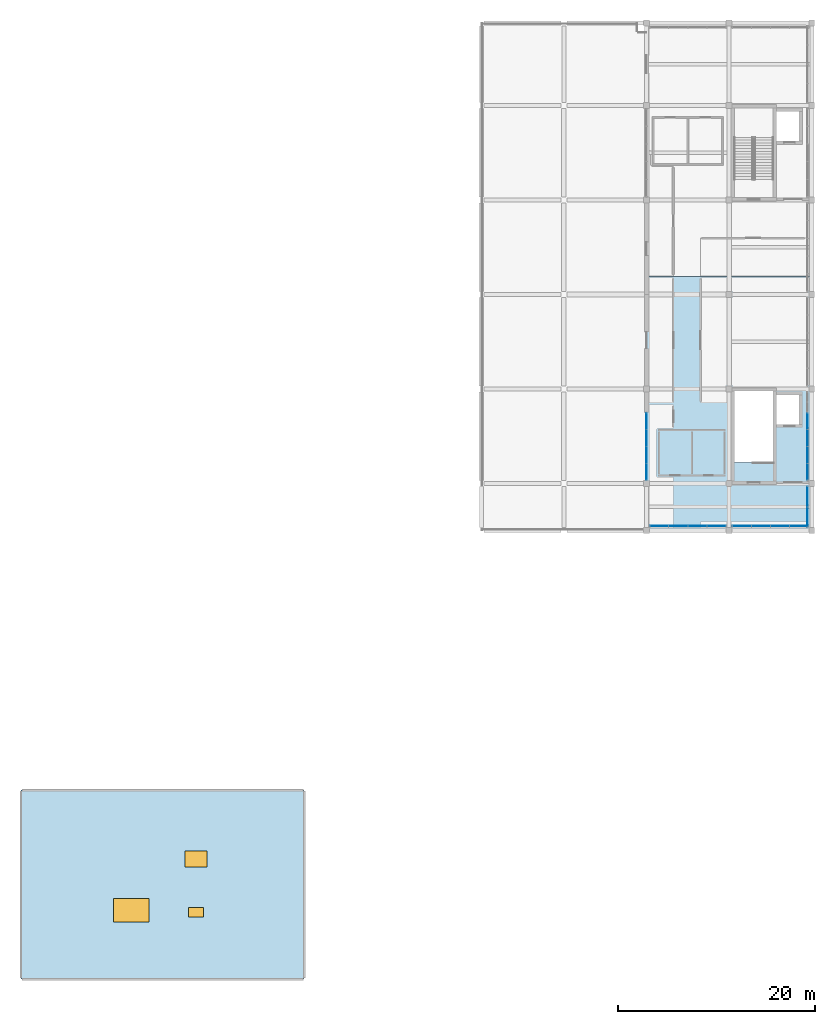
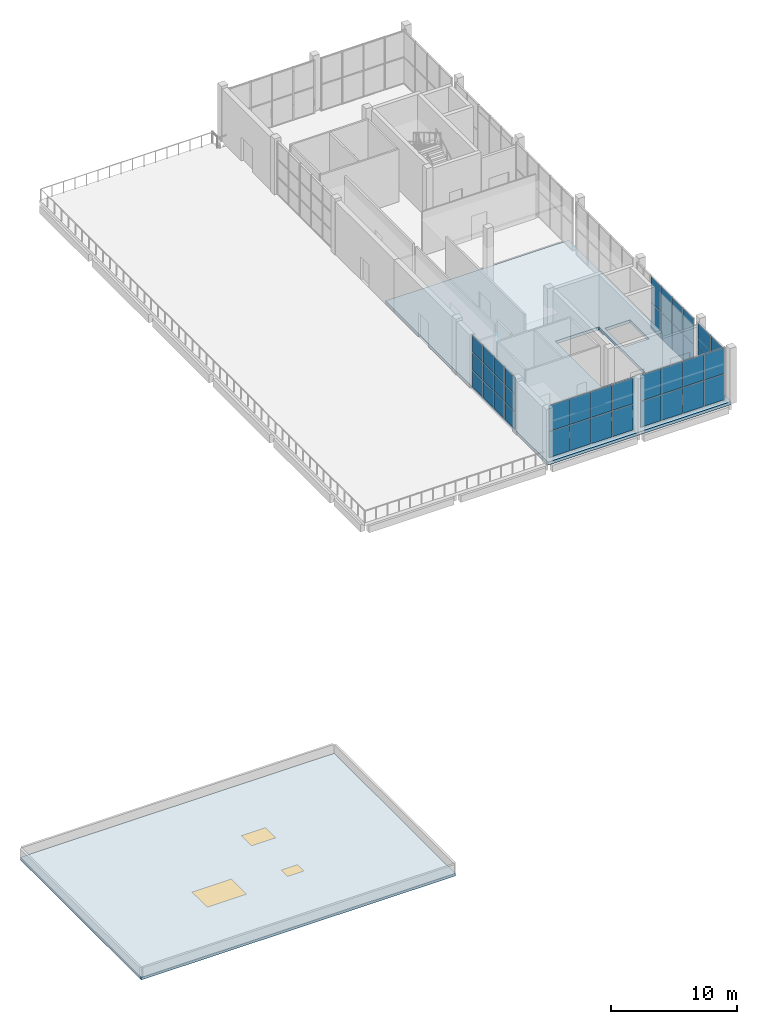
# One storey, part 8 of 15: 40 plates, 2 slabs, 2 windows, 1 door, 3 openings, 5 elements without a shape of their own.
"""IFC4 building model written with IfcOpenShell, lengths in metres."""

from ifc_helpers import new_model, si_unit, direction, frame, origin, origin_2d, place, context, subcontext, project, spatial, polyline, rectangle, outline, extrude, material, layer, layer_set, type_object, element, fill, aggregate, save


model = new_model("IFC4")

# Units and contexts
model_context = context("Model", 3, precision=1e-05, world=origin(), true_north=direction((0.0, 1.0)))
body_context = subcontext(model_context, "Body", "Model", "MODEL_VIEW")
ifc_project = project(units=[si_unit("LENGTHUNIT", "METRE"), si_unit("AREAUNIT", "SQUARE_METRE"), si_unit("VOLUMEUNIT", "CUBIC_METRE"), si_unit("PLANEANGLEUNIT", "RADIAN"), si_unit("MASSUNIT", "GRAM", prefix="KILO")], contexts=[model_context])

# Site, building, storey
site_placement = place(None, origin())
site = spatial("IfcSite", under=ifc_project, at=site_placement, CompositionType="ELEMENT")
building_placement = place(site_placement, origin())
building = spatial("IfcBuilding", under=site, at=building_placement, Name="Shalvenor Court Art Gallery", CompositionType="ELEMENT")
storey_placement = place(building_placement, frame((0.0, 0.0, 27.0)))
storey = spatial("IfcBuildingStorey", under=building, at=storey_placement, Name="L05", CompositionType="ELEMENT", Elevation=27.0)

# Curtain wall, plates
ifc_material_1 = material(Name="Anodised aluminium and low-iron glass curtain wall", Category="aluminium")
curtain_wall_type_1 = type_object("IfcCurtainWallType", Name="CW-4x3-69-51-612", PredefinedType="USERDEFINED", material=ifc_material_1)
curtain_wall_1_placement = place(storey_placement, origin())
curtain_wall_1 = element("IfcCurtainWall", 1, at=curtain_wall_1_placement, inside=storey, type_object=curtain_wall_type_1, Name="L05 V1 Curtain Wall CW-L05-051", ObjectType="CURTAIN WALL", PredefinedType="USERDEFINED")
ifc_material_2 = material(Name="Low-iron triple-silver solar gallery glazing IGU", Category="glass")
ifc_layer_1 = layer(ifc_material_2, 0.031982421875, Name="Low-iron triple-silver solar gallery glazing IGU")
ifc_layer_set_1 = layer_set([ifc_layer_1], Name="Low-iron triple-silver solar gallery glazing IGU")
plate_type_1 = type_object("IfcPlateType", Name="CWP-02", PredefinedType="CURTAIN_PANEL", material=ifc_layer_set_1)
plate_1_placement = place(storey_placement, frame((159.60009765625, 51.576171875, 0.06005859375), z_axis=(0.0, 0.0, 1.0), x_axis=(0.0, 1.0, 0.0)))
plate_1 = element("IfcPlate", 2, at=plate_1_placement, type_object=plate_type_1, Name="CW-4x3-69-51-612 panel 1.1", PredefinedType="CURTAIN_PANEL", context=body_context, shape_type="SweptSolid", body=[
    extrude(rectangle(XDim=1.642578125, YDim=0.031982421875, at=origin_2d()), origin(), (0.0, 0.0, 1.0), 1.623291015625),
])
plate_2_placement = place(storey_placement, frame((159.60009765625, 51.576171875, 1.743408203125), z_axis=(0.0, 0.0, 1.0), x_axis=(0.0, 1.0, 0.0)))
plate_2 = element("IfcPlate", 3, at=plate_2_placement, type_object=plate_type_1, Name="CW-4x3-69-51-612 panel 1.2", PredefinedType="CURTAIN_PANEL", context=body_context, shape_type="SweptSolid", body=[
    extrude(rectangle(XDim=1.642578125, YDim=0.031982421875, at=origin_2d()), origin(), (0.0, 0.0, 1.0), 1.6533203125),
])
plate_3_placement = place(storey_placement, frame((159.60009765625, 51.576171875, 3.45654296875), z_axis=(0.0, 0.0, 1.0), x_axis=(0.0, 1.0, 0.0)))
plate_3 = element("IfcPlate", 4, at=plate_3_placement, type_object=plate_type_1, Name="CW-4x3-69-51-612 panel 1.3", PredefinedType="CURTAIN_PANEL", context=body_context, shape_type="SweptSolid", body=[
    extrude(rectangle(XDim=1.642578125, YDim=0.031982421875, at=origin_2d()), origin(), (0.0, 0.0, 1.0), 1.623291015625),
])
plate_4_placement = place(storey_placement, frame((159.60009765625, 53.28759765625, 0.06005859375), z_axis=(0.0, 0.0, 1.0), x_axis=(0.0, 1.0, 0.0)))
plate_4 = element("IfcPlate", 5, at=plate_4_placement, type_object=plate_type_1, Name="CW-4x3-69-51-612 panel 2.1", PredefinedType="CURTAIN_PANEL", context=body_context, shape_type="SweptSolid", body=[
    extrude(rectangle(XDim=1.669921875, YDim=0.031982421875, at=origin_2d()), origin(), (0.0, 0.0, 1.0), 1.623291015625),
])
plate_5_placement = place(storey_placement, frame((159.60009765625, 53.28759765625, 1.743408203125), z_axis=(0.0, 0.0, 1.0), x_axis=(0.0, 1.0, 0.0)))
plate_5 = element("IfcPlate", 6, at=plate_5_placement, type_object=plate_type_1, Name="CW-4x3-69-51-612 panel 2.2", PredefinedType="CURTAIN_PANEL", context=body_context, shape_type="SweptSolid", body=[
    extrude(rectangle(XDim=1.669921875, YDim=0.031982421875, at=origin_2d()), origin(), (0.0, 0.0, 1.0), 1.6533203125),
])
plate_6_placement = place(storey_placement, frame((159.60009765625, 53.28759765625, 3.45654296875), z_axis=(0.0, 0.0, 1.0), x_axis=(0.0, 1.0, 0.0)))
plate_6 = element("IfcPlate", 7, at=plate_6_placement, type_object=plate_type_1, Name="CW-4x3-69-51-612 panel 2.3", PredefinedType="CURTAIN_PANEL", context=body_context, shape_type="SweptSolid", body=[
    extrude(rectangle(XDim=1.669921875, YDim=0.031982421875, at=origin_2d()), origin(), (0.0, 0.0, 1.0), 1.623291015625),
])
plate_7_placement = place(storey_placement, frame((159.60009765625, 55.012451171875, 0.06005859375), z_axis=(0.0, 0.0, 1.0), x_axis=(0.0, 1.0, 0.0)))
plate_7 = element("IfcPlate", 8, at=plate_7_placement, type_object=plate_type_1, Name="CW-4x3-69-51-612 panel 3.1", PredefinedType="CURTAIN_PANEL", context=body_context, shape_type="SweptSolid", body=[
    extrude(rectangle(XDim=1.669921875, YDim=0.031982421875, at=origin_2d()), origin(), (0.0, 0.0, 1.0), 1.623291015625),
])
plate_8_placement = place(storey_placement, frame((159.60009765625, 55.012451171875, 1.743408203125), z_axis=(0.0, 0.0, 1.0), x_axis=(0.0, 1.0, 0.0)))
plate_8 = element("IfcPlate", 9, at=plate_8_placement, type_object=plate_type_1, Name="CW-4x3-69-51-612 panel 3.2", PredefinedType="CURTAIN_PANEL", context=body_context, shape_type="SweptSolid", body=[
    extrude(rectangle(XDim=1.669921875, YDim=0.031982421875, at=origin_2d()), origin(), (0.0, 0.0, 1.0), 1.6533203125),
])
plate_9_placement = place(storey_placement, frame((159.60009765625, 55.012451171875, 3.45654296875), z_axis=(0.0, 0.0, 1.0), x_axis=(0.0, 1.0, 0.0)))
plate_9 = element("IfcPlate", 10, at=plate_9_placement, type_object=plate_type_1, Name="CW-4x3-69-51-612 panel 3.3", PredefinedType="CURTAIN_PANEL", context=body_context, shape_type="SweptSolid", body=[
    extrude(rectangle(XDim=1.669921875, YDim=0.031982421875, at=origin_2d()), origin(), (0.0, 0.0, 1.0), 1.623291015625),
])
plate_10_placement = place(storey_placement, frame((159.60009765625, 56.7236328125, 0.06005859375), z_axis=(0.0, 0.0, 1.0), x_axis=(0.0, 1.0, 0.0)))
plate_10 = element("IfcPlate", 11, at=plate_10_placement, type_object=plate_type_1, Name="CW-4x3-69-51-612 panel 4.1", PredefinedType="CURTAIN_PANEL", context=body_context, shape_type="SweptSolid", body=[
    extrude(rectangle(XDim=1.642578125, YDim=0.031982421875, at=origin_2d()), origin(), (0.0, 0.0, 1.0), 1.623291015625),
])
plate_11_placement = place(storey_placement, frame((159.60009765625, 56.7236328125, 1.743408203125), z_axis=(0.0, 0.0, 1.0), x_axis=(0.0, 1.0, 0.0)))
plate_11 = element("IfcPlate", 12, at=plate_11_placement, type_object=plate_type_1, Name="CW-4x3-69-51-612 panel 4.2", PredefinedType="CURTAIN_PANEL", context=body_context, shape_type="SweptSolid", body=[
    extrude(rectangle(XDim=1.642578125, YDim=0.031982421875, at=origin_2d()), origin(), (0.0, 0.0, 1.0), 1.6533203125),
])
plate_12_placement = place(storey_placement, frame((159.60009765625, 56.7236328125, 3.45654296875), z_axis=(0.0, 0.0, 1.0), x_axis=(0.0, 1.0, 0.0)))
plate_12 = element("IfcPlate", 13, at=plate_12_placement, type_object=plate_type_1, Name="CW-4x3-69-51-612 panel 4.3", PredefinedType="CURTAIN_PANEL", context=body_context, shape_type="SweptSolid", body=[
    extrude(rectangle(XDim=1.642578125, YDim=0.031982421875, at=origin_2d()), origin(), (0.0, 0.0, 1.0), 1.623291015625),
])
aggregate(curtain_wall_1, [plate_1, plate_2, plate_3, plate_4, plate_5, plate_6, plate_7, plate_8, plate_9, plate_10, plate_11, plate_12])

ifc_material_3 = material(Name="Anodised aluminium and low-iron glass curtain wall", Category="aluminium")
curtain_wall_type_2 = type_object("IfcCurtainWallType", Name="CW-CLR-4-69", PredefinedType="USERDEFINED", material=ifc_material_3)
curtain_wall_2_placement = place(storey_placement, origin())
curtain_wall_2 = element("IfcCurtainWall", 14, at=curtain_wall_2_placement, inside=storey, type_object=curtain_wall_type_2, Name="L05 Dark Clerestory Curtain Wall CW-L05-047", ObjectType="CURTAIN WALL", PredefinedType="USERDEFINED")
ifc_material_4 = material(Name="Dark bronze fritted clerestory glazing IGU", Category="glass")
ifc_layer_2 = layer(ifc_material_4, 0.035888671875, Name="Dark bronze fritted clerestory glazing IGU")
ifc_layer_set_2 = layer_set([ifc_layer_2], Name="Dark bronze fritted clerestory glazing IGU")
plate_type_2 = type_object("IfcPlateType", Name="CWP-03", PredefinedType="CURTAIN_PANEL", material=ifc_layer_set_2)
plate_13_placement = place(storey_placement, frame((175.949951171875, 56.722412109375, 0.05517578125), z_axis=(0.0, 0.0, 1.0), x_axis=(0.0, -1.0, 0.0)))
plate_13 = element("IfcPlate", 15, at=plate_13_placement, type_object=plate_type_2, Name="CW-CLR-4-69 panel 1.1", PredefinedType="CURTAIN_PANEL", context=body_context, shape_type="SweptSolid", body=[
    extrude(rectangle(XDim=1.635009765625, YDim=0.035888671875, at=origin_2d()), origin(), (0.0, 0.0, 1.0), 2.487548828125),
])
plate_14_placement = place(storey_placement, frame((175.949951171875, 56.722412109375, 2.59765625), z_axis=(0.0, 0.0, 1.0), x_axis=(0.0, -1.0, 0.0)))
plate_14 = element("IfcPlate", 16, at=plate_14_placement, type_object=plate_type_2, Name="CW-CLR-4-69 panel 1.2", PredefinedType="CURTAIN_PANEL", context=body_context, shape_type="SweptSolid", body=[
    extrude(rectangle(XDim=1.635009765625, YDim=0.035888671875, at=origin_2d()), origin(), (0.0, 0.0, 1.0), 2.487548828125),
])
plate_15_placement = place(storey_placement, frame((175.949951171875, 55.012451171875, 0.05517578125), z_axis=(0.0, 0.0, 1.0), x_axis=(0.0, -1.0, 0.0)))
plate_15 = element("IfcPlate", 17, at=plate_15_placement, type_object=plate_type_2, Name="CW-CLR-4-69 panel 2.1", PredefinedType="CURTAIN_PANEL", context=body_context, shape_type="SweptSolid", body=[
    extrude(rectangle(XDim=1.6650390625, YDim=0.035888671875, at=origin_2d()), origin(), (0.0, 0.0, 1.0), 2.487548828125),
])
plate_16_placement = place(storey_placement, frame((175.949951171875, 55.012451171875, 2.59765625), z_axis=(0.0, 0.0, 1.0), x_axis=(0.0, -1.0, 0.0)))
plate_16 = element("IfcPlate", 18, at=plate_16_placement, type_object=plate_type_2, Name="CW-CLR-4-69 panel 2.2", PredefinedType="CURTAIN_PANEL", context=body_context, shape_type="SweptSolid", body=[
    extrude(rectangle(XDim=1.6650390625, YDim=0.035888671875, at=origin_2d()), origin(), (0.0, 0.0, 1.0), 2.487548828125),
])
plate_17_placement = place(storey_placement, frame((175.949951171875, 53.28759765625, 0.05517578125), z_axis=(0.0, 0.0, 1.0), x_axis=(0.0, -1.0, 0.0)))
plate_17 = element("IfcPlate", 19, at=plate_17_placement, type_object=plate_type_2, Name="CW-CLR-4-69 panel 3.1", PredefinedType="CURTAIN_PANEL", context=body_context, shape_type="SweptSolid", body=[
    extrude(rectangle(XDim=1.6650390625, YDim=0.035888671875, at=origin_2d()), origin(), (0.0, 0.0, 1.0), 2.487548828125),
])
plate_18_placement = place(storey_placement, frame((175.949951171875, 53.28759765625, 2.59765625), z_axis=(0.0, 0.0, 1.0), x_axis=(0.0, -1.0, 0.0)))
plate_18 = element("IfcPlate", 20, at=plate_18_placement, type_object=plate_type_2, Name="CW-CLR-4-69 panel 3.2", PredefinedType="CURTAIN_PANEL", context=body_context, shape_type="SweptSolid", body=[
    extrude(rectangle(XDim=1.6650390625, YDim=0.035888671875, at=origin_2d()), origin(), (0.0, 0.0, 1.0), 2.487548828125),
])
plate_19_placement = place(storey_placement, frame((175.949951171875, 51.577392578125, 0.05517578125), z_axis=(0.0, 0.0, 1.0), x_axis=(0.0, -1.0, 0.0)))
plate_19 = element("IfcPlate", 21, at=plate_19_placement, type_object=plate_type_2, Name="CW-CLR-4-69 panel 4.1", PredefinedType="CURTAIN_PANEL", context=body_context, shape_type="SweptSolid", body=[
    extrude(rectangle(XDim=1.635009765625, YDim=0.035888671875, at=origin_2d()), origin(), (0.0, 0.0, 1.0), 2.487548828125),
])
plate_20_placement = place(storey_placement, frame((175.949951171875, 51.577392578125, 2.59765625), z_axis=(0.0, 0.0, 1.0), x_axis=(0.0, -1.0, 0.0)))
plate_20 = element("IfcPlate", 22, at=plate_20_placement, type_object=plate_type_2, Name="CW-CLR-4-69 panel 4.2", PredefinedType="CURTAIN_PANEL", context=body_context, shape_type="SweptSolid", body=[
    extrude(rectangle(XDim=1.635009765625, YDim=0.035888671875, at=origin_2d()), origin(), (0.0, 0.0, 1.0), 2.487548828125),
])
aggregate(curtain_wall_2, [plate_13, plate_14, plate_15, plate_16, plate_17, plate_18, plate_19, plate_20])

ifc_material_5 = material(Name="Anodised aluminium and low-iron glass curtain wall", Category="aluminium")
curtain_wall_type_3 = type_object("IfcCurtainWallType", Name="CW-CLR-2-42", PredefinedType="USERDEFINED", material=ifc_material_5)
curtain_wall_3_placement = place(storey_placement, origin())
curtain_wall_3 = element("IfcCurtainWall", 23, at=curtain_wall_3_placement, inside=storey, type_object=curtain_wall_type_3, Name="L05 Dark Clerestory Curtain Wall CW-L05-048", ObjectType="CURTAIN WALL", PredefinedType="USERDEFINED")
plate_21_placement = place(storey_placement, frame((175.949951171875, 49.034912109375, 0.05517578125), z_axis=(0.0, 0.0, 1.0), x_axis=(0.0, -1.0, 0.0)))
plate_21 = element("IfcPlate", 24, at=plate_21_placement, type_object=plate_type_2, Name="CW-CLR-2-42 panel 1.1", PredefinedType="CURTAIN_PANEL", context=body_context, shape_type="SweptSolid", body=[
    extrude(rectangle(XDim=2.010009765625, YDim=0.035888671875, at=origin_2d()), origin(), (0.0, 0.0, 1.0), 2.487548828125),
])
plate_22_placement = place(storey_placement, frame((175.949951171875, 49.034912109375, 2.59765625), z_axis=(0.0, 0.0, 1.0), x_axis=(0.0, -1.0, 0.0)))
plate_22 = element("IfcPlate", 25, at=plate_22_placement, type_object=plate_type_2, Name="CW-CLR-2-42 panel 1.2", PredefinedType="CURTAIN_PANEL", context=body_context, shape_type="SweptSolid", body=[
    extrude(rectangle(XDim=2.010009765625, YDim=0.035888671875, at=origin_2d()), origin(), (0.0, 0.0, 1.0), 2.487548828125),
])
plate_23_placement = place(storey_placement, frame((175.949951171875, 46.965087890625, 0.05517578125), z_axis=(0.0, 0.0, 1.0), x_axis=(0.0, -1.0, 0.0)))
plate_23 = element("IfcPlate", 26, at=plate_23_placement, type_object=plate_type_2, Name="CW-CLR-2-42 panel 2.1", PredefinedType="CURTAIN_PANEL", context=body_context, shape_type="SweptSolid", body=[
    extrude(rectangle(XDim=2.010009765625, YDim=0.035888671875, at=origin_2d()), origin(), (0.0, 0.0, 1.0), 2.487548828125),
])
plate_24_placement = place(storey_placement, frame((175.949951171875, 46.965087890625, 2.59765625), z_axis=(0.0, 0.0, 1.0), x_axis=(0.0, -1.0, 0.0)))
plate_24 = element("IfcPlate", 27, at=plate_24_placement, type_object=plate_type_2, Name="CW-CLR-2-42 panel 2.2", PredefinedType="CURTAIN_PANEL", context=body_context, shape_type="SweptSolid", body=[
    extrude(rectangle(XDim=2.010009765625, YDim=0.035888671875, at=origin_2d()), origin(), (0.0, 0.0, 1.0), 2.487548828125),
])
aggregate(curtain_wall_3, [plate_21, plate_22, plate_23, plate_24])

ifc_material_6 = material(Name="Anodised aluminium and low-iron glass curtain wall", Category="aluminium")
curtain_wall_type_4 = type_object("IfcCurtainWallType", Name="CW-CLR-4-78", PredefinedType="USERDEFINED", material=ifc_material_6)
curtain_wall_4_placement = place(storey_placement, origin())
curtain_wall_4 = element("IfcCurtainWall", 28, at=curtain_wall_4_placement, inside=storey, type_object=curtain_wall_type_4, Name="L05 Dark Clerestory Curtain Wall CW-L05-049", ObjectType="CURTAIN WALL", PredefinedType="USERDEFINED")
plate_25_placement = place(storey_placement, frame((175.110107421875, 46.050048828125, 0.05517578125), z_axis=(0.0, 0.0, 1.0), x_axis=(-1.0, 0.0, 0.0)))
plate_25 = element("IfcPlate", 29, at=plate_25_placement, type_object=plate_type_2, Name="CW-CLR-4-78 panel 1.1", PredefinedType="CURTAIN_PANEL", context=body_context, shape_type="SweptSolid", body=[
    extrude(rectangle(XDim=1.860107421875, YDim=0.035888671875, at=origin_2d()), origin(), (0.0, 0.0, 1.0), 2.487548828125),
])
plate_26_placement = place(storey_placement, frame((175.110107421875, 46.050048828125, 2.59765625), z_axis=(0.0, 0.0, 1.0), x_axis=(-1.0, 0.0, 0.0)))
plate_26 = element("IfcPlate", 30, at=plate_26_placement, type_object=plate_type_2, Name="CW-CLR-4-78 panel 1.2", PredefinedType="CURTAIN_PANEL", context=body_context, shape_type="SweptSolid", body=[
    extrude(rectangle(XDim=1.860107421875, YDim=0.035888671875, at=origin_2d()), origin(), (0.0, 0.0, 1.0), 2.487548828125),
])
plate_27_placement = place(storey_placement, frame((173.175048828125, 46.050048828125, 0.05517578125), z_axis=(0.0, 0.0, 1.0), x_axis=(-1.0, 0.0, 0.0)))
plate_27 = element("IfcPlate", 31, at=plate_27_placement, type_object=plate_type_2, Name="CW-CLR-4-78 panel 2.1", PredefinedType="CURTAIN_PANEL", context=body_context, shape_type="SweptSolid", body=[
    extrude(rectangle(XDim=1.889892578125, YDim=0.035888671875, at=origin_2d()), origin(), (0.0, 0.0, 1.0), 2.487548828125),
])
plate_28_placement = place(storey_placement, frame((173.175048828125, 46.050048828125, 2.59765625), z_axis=(0.0, 0.0, 1.0), x_axis=(-1.0, 0.0, 0.0)))
plate_28 = element("IfcPlate", 32, at=plate_28_placement, type_object=plate_type_2, Name="CW-CLR-4-78 panel 2.2", PredefinedType="CURTAIN_PANEL", context=body_context, shape_type="SweptSolid", body=[
    extrude(rectangle(XDim=1.889892578125, YDim=0.035888671875, at=origin_2d()), origin(), (0.0, 0.0, 1.0), 2.487548828125),
])
plate_29_placement = place(storey_placement, frame((171.22509765625, 46.050048828125, 0.05517578125), z_axis=(0.0, 0.0, 1.0), x_axis=(-1.0, 0.0, 0.0)))
plate_29 = element("IfcPlate", 33, at=plate_29_placement, type_object=plate_type_2, Name="CW-CLR-4-78 panel 3.1", PredefinedType="CURTAIN_PANEL", context=body_context, shape_type="SweptSolid", body=[
    extrude(rectangle(XDim=1.889892578125, YDim=0.035888671875, at=origin_2d()), origin(), (0.0, 0.0, 1.0), 2.487548828125),
])
plate_30_placement = place(storey_placement, frame((171.22509765625, 46.050048828125, 2.59765625), z_axis=(0.0, 0.0, 1.0), x_axis=(-1.0, 0.0, 0.0)))
plate_30 = element("IfcPlate", 34, at=plate_30_placement, type_object=plate_type_2, Name="CW-CLR-4-78 panel 3.2", PredefinedType="CURTAIN_PANEL", context=body_context, shape_type="SweptSolid", body=[
    extrude(rectangle(XDim=1.889892578125, YDim=0.035888671875, at=origin_2d()), origin(), (0.0, 0.0, 1.0), 2.487548828125),
])
plate_31_placement = place(storey_placement, frame((169.2900390625, 46.050048828125, 0.05517578125), z_axis=(0.0, 0.0, 1.0), x_axis=(-1.0, 0.0, 0.0)))
plate_31 = element("IfcPlate", 35, at=plate_31_placement, type_object=plate_type_2, Name="CW-CLR-4-78 panel 4.1", PredefinedType="CURTAIN_PANEL", context=body_context, shape_type="SweptSolid", body=[
    extrude(rectangle(XDim=1.860107421875, YDim=0.035888671875, at=origin_2d()), origin(), (0.0, 0.0, 1.0), 2.487548828125),
])
plate_32_placement = place(storey_placement, frame((169.2900390625, 46.050048828125, 2.59765625), z_axis=(0.0, 0.0, 1.0), x_axis=(-1.0, 0.0, 0.0)))
plate_32 = element("IfcPlate", 36, at=plate_32_placement, type_object=plate_type_2, Name="CW-CLR-4-78 panel 4.2", PredefinedType="CURTAIN_PANEL", context=body_context, shape_type="SweptSolid", body=[
    extrude(rectangle(XDim=1.860107421875, YDim=0.035888671875, at=origin_2d()), origin(), (0.0, 0.0, 1.0), 2.487548828125),
])
aggregate(curtain_wall_4, [plate_25, plate_26, plate_27, plate_28, plate_29, plate_30, plate_31, plate_32])

curtain_wall_5_placement = place(storey_placement, origin())
curtain_wall_5 = element("IfcCurtainWall", 37, at=curtain_wall_5_placement, inside=storey, type_object=curtain_wall_type_4, Name="L05 Dark Clerestory Curtain Wall CW-L05-050", ObjectType="CURTAIN WALL", PredefinedType="USERDEFINED")
plate_33_placement = place(storey_placement, frame((166.7099609375, 46.050048828125, 0.05517578125), z_axis=(0.0, 0.0, 1.0), x_axis=(-1.0, 0.0, 0.0)))
plate_33 = element("IfcPlate", 38, at=plate_33_placement, type_object=plate_type_2, Name="CW-CLR-4-78 panel 1.1", PredefinedType="CURTAIN_PANEL", context=body_context, shape_type="SweptSolid", body=[
    extrude(rectangle(XDim=1.860107421875, YDim=0.035888671875, at=origin_2d()), origin(), (0.0, 0.0, 1.0), 2.487548828125),
])
plate_34_placement = place(storey_placement, frame((166.7099609375, 46.050048828125, 2.59765625), z_axis=(0.0, 0.0, 1.0), x_axis=(-1.0, 0.0, 0.0)))
plate_34 = element("IfcPlate", 39, at=plate_34_placement, type_object=plate_type_2, Name="CW-CLR-4-78 panel 1.2", PredefinedType="CURTAIN_PANEL", context=body_context, shape_type="SweptSolid", body=[
    extrude(rectangle(XDim=1.860107421875, YDim=0.035888671875, at=origin_2d()), origin(), (0.0, 0.0, 1.0), 2.487548828125),
])
plate_35_placement = place(storey_placement, frame((164.77490234375, 46.050048828125, 0.05517578125), z_axis=(0.0, 0.0, 1.0), x_axis=(-1.0, 0.0, 0.0)))
plate_35 = element("IfcPlate", 40, at=plate_35_placement, type_object=plate_type_2, Name="CW-CLR-4-78 panel 2.1", PredefinedType="CURTAIN_PANEL", context=body_context, shape_type="SweptSolid", body=[
    extrude(rectangle(XDim=1.889892578125, YDim=0.035888671875, at=origin_2d()), origin(), (0.0, 0.0, 1.0), 2.487548828125),
])
plate_36_placement = place(storey_placement, frame((164.77490234375, 46.050048828125, 2.59765625), z_axis=(0.0, 0.0, 1.0), x_axis=(-1.0, 0.0, 0.0)))
plate_36 = element("IfcPlate", 41, at=plate_36_placement, type_object=plate_type_2, Name="CW-CLR-4-78 panel 2.2", PredefinedType="CURTAIN_PANEL", context=body_context, shape_type="SweptSolid", body=[
    extrude(rectangle(XDim=1.889892578125, YDim=0.035888671875, at=origin_2d()), origin(), (0.0, 0.0, 1.0), 2.487548828125),
])
plate_37_placement = place(storey_placement, frame((162.824951171875, 46.050048828125, 0.05517578125), z_axis=(0.0, 0.0, 1.0), x_axis=(-1.0, 0.0, 0.0)))
plate_37 = element("IfcPlate", 42, at=plate_37_placement, type_object=plate_type_2, Name="CW-CLR-4-78 panel 3.1", PredefinedType="CURTAIN_PANEL", context=body_context, shape_type="SweptSolid", body=[
    extrude(rectangle(XDim=1.889892578125, YDim=0.035888671875, at=origin_2d()), origin(), (0.0, 0.0, 1.0), 2.487548828125),
])
plate_38_placement = place(storey_placement, frame((162.824951171875, 46.050048828125, 2.59765625), z_axis=(0.0, 0.0, 1.0), x_axis=(-1.0, 0.0, 0.0)))
plate_38 = element("IfcPlate", 43, at=plate_38_placement, type_object=plate_type_2, Name="CW-CLR-4-78 panel 3.2", PredefinedType="CURTAIN_PANEL", context=body_context, shape_type="SweptSolid", body=[
    extrude(rectangle(XDim=1.889892578125, YDim=0.035888671875, at=origin_2d()), origin(), (0.0, 0.0, 1.0), 2.487548828125),
])
plate_39_placement = place(storey_placement, frame((160.889892578125, 46.050048828125, 0.05517578125), z_axis=(0.0, 0.0, 1.0), x_axis=(-1.0, 0.0, 0.0)))
plate_39 = element("IfcPlate", 44, at=plate_39_placement, type_object=plate_type_2, Name="CW-CLR-4-78 panel 4.1", PredefinedType="CURTAIN_PANEL", context=body_context, shape_type="SweptSolid", body=[
    extrude(rectangle(XDim=1.860107421875, YDim=0.035888671875, at=origin_2d()), origin(), (0.0, 0.0, 1.0), 2.487548828125),
])
plate_40_placement = place(storey_placement, frame((160.889892578125, 46.050048828125, 2.59765625), z_axis=(0.0, 0.0, 1.0), x_axis=(-1.0, 0.0, 0.0)))
plate_40 = element("IfcPlate", 45, at=plate_40_placement, type_object=plate_type_2, Name="CW-CLR-4-78 panel 4.2", PredefinedType="CURTAIN_PANEL", context=body_context, shape_type="SweptSolid", body=[
    extrude(rectangle(XDim=1.860107421875, YDim=0.035888671875, at=origin_2d()), origin(), (0.0, 0.0, 1.0), 2.487548828125),
])
aggregate(curtain_wall_5, [plate_33, plate_34, plate_35, plate_36, plate_37, plate_38, plate_39, plate_40])

# Slab
ifc_material_7 = material(Name="Concrete C40/50", Category="concrete")
ifc_layer_3 = layer(ifc_material_7, 0.2900390625, Name="Concrete C40/50")
ifc_layer_set_3 = layer_set([ifc_layer_3], Name="Concrete C40/50")
slab_type_1 = type_object("IfcSlabType", Name="FS-290", PredefinedType="FLOOR", material=ifc_layer_set_3)
slab_1_placement = place(storey_placement, frame((0.0, 0.0, -0.2900390625)))
element("IfcSlab", 46, at=slab_1_placement, inside=storey, type_object=slab_type_1, Name="L05 V1 Floor Slab 1", PredefinedType="FLOOR", context=body_context, shape_type="SweptSolid", body=[
    extrude(outline(polyline([(159.60009765625, 45.60009765625), (159.60009765625, 71.39990234375), (176.39990234375, 71.39990234375), (176.39990234375, 45.60009765625), (159.60009765625, 45.60009765625)]), holes=[polyline([(172.5, 52.510986328125), (172.5, 59.800048828125), (168.5, 59.800048828125), (168.5, 52.510986328125), (172.5, 52.510986328125)]), polyline([(172.81201171875, 59.39990234375), (172.81201171875, 56.39990234375), (175.10009765625, 56.39990234375), (175.10009765625, 59.39990234375), (172.81201171875, 59.39990234375)])]), origin(), (0.0, 0.0, 1.0), 0.2900390625),
])

# Slab, openings, windows, door
ifc_material_8 = material(Name="Concrete C40/50", Category="concrete")
ifc_layer_4 = layer(ifc_material_8, 0.25, Name="Concrete C40/50")
ifc_layer_set_4 = layer_set([ifc_layer_4], Name="Concrete C40/50")
slab_type_2 = type_object("IfcSlabType", Name="RF-250", PredefinedType="ROOF", material=ifc_layer_set_4)
slab_2_placement = place(storey_placement, frame((0.0, 0.0, -0.25)))
slab_2 = element("IfcSlab", 47, at=slab_2_placement, inside=storey, type_object=slab_type_2, Name="L05 V3 Flat Roof Slab", PredefinedType="ROOF", context=body_context, shape_type="SweptSolid", body=[
    extrude(outline(polyline([(124.800048828125, 0.0), (124.800048828125, 19.199951171875), (96.0, 19.199951171875), (96.0, 0.0), (124.800048828125, 0.0)])), origin(), (0.0, 0.0, 1.0), 0.25),
])
opening_1_placement = place(slab_2_placement, frame((113.800048828125, 6.800048828125, -0.010009765625), z_axis=(0.0, 0.0, 1.0), x_axis=(1.0, 0.0, 0.0)))
opening_1 = element("IfcOpeningElement", 48, at=opening_1_placement, cuts=slab_2, Name="Opening RH-02", PredefinedType="OPENING", context=body_context, shape_type="SweptSolid", body=[
    extrude(rectangle(XDim=1.5, YDim=1.0, at=origin_2d()), origin(), (0.0, 0.0, 1.0), 0.27001953125),
])
opening_2_placement = place(slab_2_placement, frame((107.199951171875, 7.0, -0.010009765625), z_axis=(0.0, 0.0, 1.0), x_axis=(1.0, 0.0, 0.0)))
opening_2 = element("IfcOpeningElement", 49, at=opening_2_placement, cuts=slab_2, Name="Opening SK-01", PredefinedType="OPENING", context=body_context, shape_type="SweptSolid", body=[
    extrude(rectangle(XDim=3.60009765625, YDim=2.39990234375, at=origin_2d()), origin(), (0.0, 0.0, 1.0), 0.27001953125),
])
opening_3_placement = place(slab_2_placement, frame((113.800048828125, 12.199951171875, -0.010009765625), z_axis=(0.0, 0.0, 1.0), x_axis=(1.0, 0.0, 0.0)))
opening_3 = element("IfcOpeningElement", 50, at=opening_3_placement, cuts=slab_2, Name="Opening LDM-01", PredefinedType="OPENING", context=body_context, shape_type="SweptSolid", body=[
    extrude(rectangle(XDim=2.199951171875, YDim=1.60009765625, at=origin_2d()), origin(), (0.0, 0.0, 1.0), 0.27001953125),
])
ifc_material_9 = material(Name="Diffused opal polycarbonate museum daylight dome", Category="glass")
window_type_1 = type_object("IfcWindowType", Name="LDM-01", PartitioningType="SINGLE_PANEL", PredefinedType="LIGHTDOME", material=ifc_material_9)
window_1_placement = place(slab_2_placement, frame((113.800048828125, 12.199951171875, 0.110107421875), z_axis=(0.0, 0.0, 1.0), x_axis=(1.0, 0.0, 0.0)))
window_1 = element("IfcWindow", 51, at=window_1_placement, inside=storey, type_object=window_type_1, Name="L05 Roof Skylight SKY-0065", OverallHeight=1.60009765625, OverallWidth=2.199951171875, PartitioningType="SINGLE_PANEL", PredefinedType="LIGHTDOME", context=body_context, shape_type="SweptSolid", body=[
    extrude(rectangle(XDim=2.199951171875, YDim=1.60009765625, at=origin_2d()), origin(), (0.0, 0.0, 1.0), 0.139892578125),
])
fill(opening_3, window_1)
ifc_material_10 = material(Name="Insulated aluminium roof access hatch", Category="aluminium")
door_type = type_object("IfcDoorType", Name="RH-02", OperationType="NOTDEFINED", PredefinedType="TRAPDOOR", material=ifc_material_10)
door_placement = place(slab_2_placement, frame((113.800048828125, 6.800048828125, 0.1298828125), z_axis=(0.0, 0.0, 1.0), x_axis=(1.0, 0.0, 0.0)))
door = element("IfcDoor", 52, at=door_placement, inside=storey, type_object=door_type, Name="HT-L05-02 L05 Roof Access Hatch", OperationType="SINGLE_SWING_LEFT", OverallHeight=0.1201171875, OverallWidth=1.5, PredefinedType="TRAPDOOR", context=body_context, shape_type="SweptSolid", body=[
    extrude(rectangle(XDim=1.5, YDim=1.0, at=origin_2d()), origin(), (0.0, 0.0, 1.0), 0.1201171875),
])
fill(opening_1, door)
ifc_material_11 = material(Name="UV-filtered diffused museum skylight IGU", Category="glass")
window_type_2 = type_object("IfcWindowType", Name="SK-01", PartitioningType="SINGLE_PANEL", PredefinedType="SKYLIGHT", material=ifc_material_11)
window_2_placement = place(slab_2_placement, frame((107.199951171875, 7.0, 0.1298828125), z_axis=(0.0, 0.0, 1.0), x_axis=(1.0, 0.0, 0.0)))
window_2 = element("IfcWindow", 53, at=window_2_placement, inside=storey, type_object=window_type_2, Name="L05 Roof Skylight SKY-0064", OverallHeight=2.39990234375, OverallWidth=3.60009765625, PartitioningType="SINGLE_PANEL", PredefinedType="SKYLIGHT", context=body_context, shape_type="SweptSolid", body=[
    extrude(rectangle(XDim=3.60009765625, YDim=2.39990234375, at=origin_2d()), origin(), (0.0, 0.0, 1.0), 0.1201171875),
])
fill(opening_2, window_2)

save(model, "model.ifc")
